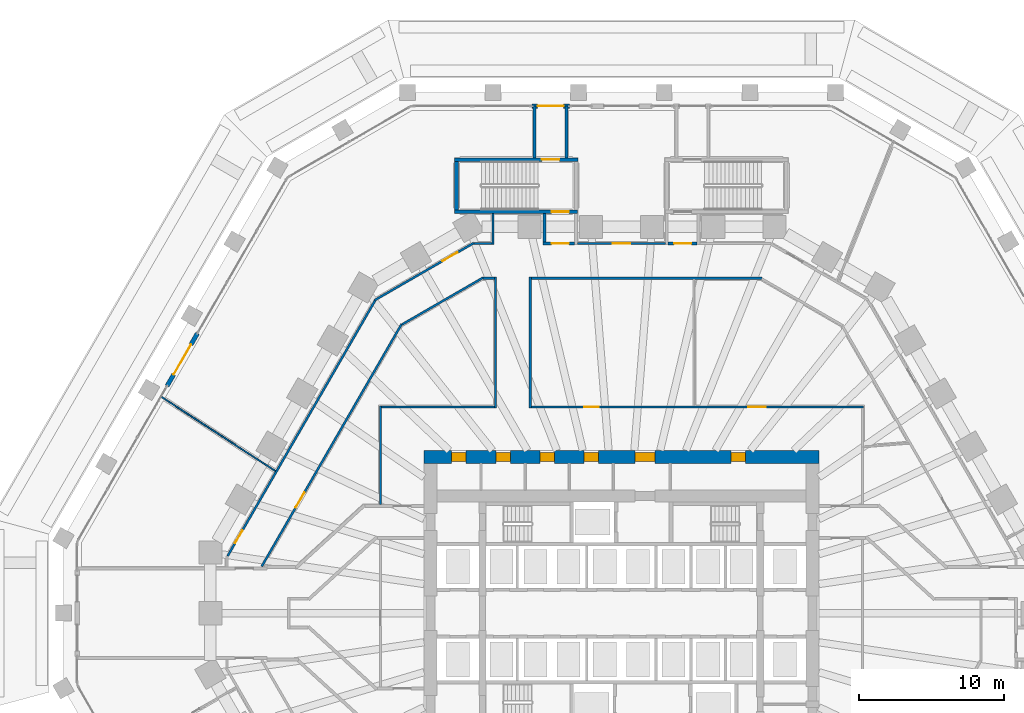
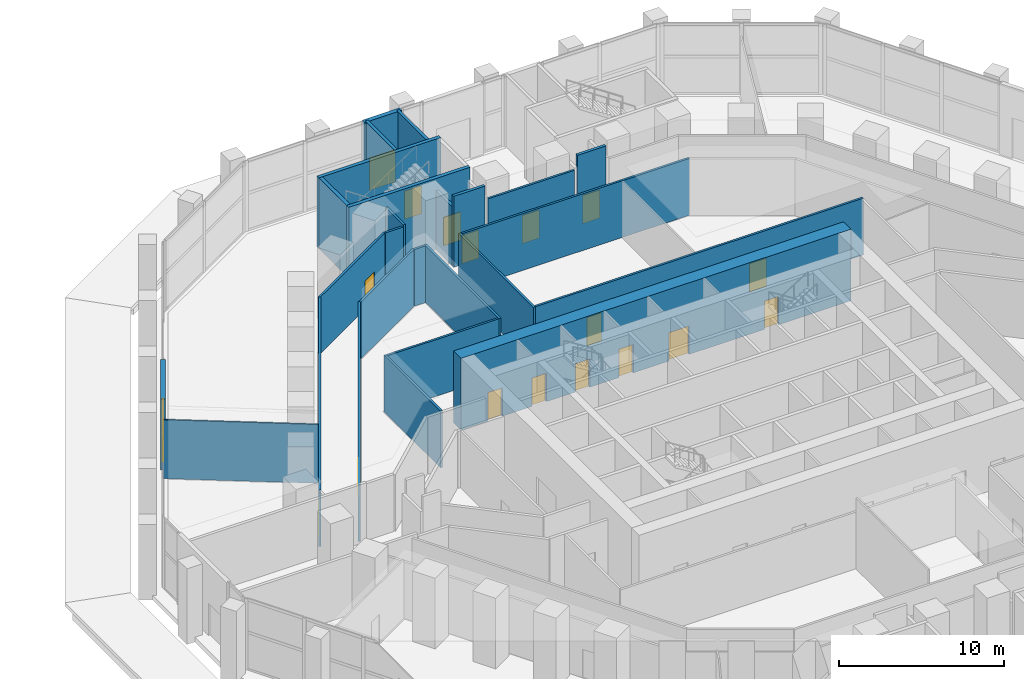
# One storey, part 24 of 44: 26 walls, 18 doors, 18 openings.
"""IFC4 building model written with IfcOpenShell, lengths in metres."""

import ifcopenshell
import ifcopenshell.guid

model = None  # the IFC model being written
_history = None  # IfcOwnerHistory: only IFC2X3 demands one
_inside = {}  # id of a spatial element -> (the spatial element, [elements in it])
_under = {}  # id of a project, library or spatial element -> (it, [spatial elements below it])
_declared = {}  # id of a project -> (the project, [libraries it declares])
_typed = {}  # id of a type object -> (the type object, [elements of that type])
_made_of = {}  # id of a material, layer set ... -> (it, [elements and type objects made of it])


def new_model(schema):
    """Start an empty IFC model of exactly this schema.

    Asked for "IFC4X3", IfcOpenShell would pick the latest addendum, in which some entities
    have other attributes; the version numbers below select the first issue.
    IFC2X3 requires an IfcOwnerHistory on every rooted entity: one is made here for all.
    """
    global model, _history
    if schema == "IFC4X3":
        model = ifcopenshell.file(schema_version=(4, 3, 0, 0))
    else:
        model = ifcopenshell.file(schema=schema)
    _inside.clear()
    _under.clear()
    _declared.clear()
    _typed.clear()
    _made_of.clear()
    _history = None
    if model.schema == "IFC2X3":
        org = make("IfcOrganization", Name="unknown")
        user = make(
            "IfcPersonAndOrganization",
            ThePerson=make("IfcPerson", FamilyName="unknown"),
            TheOrganization=org,
        )
        app = make(
            "IfcApplication",
            ApplicationDeveloper=org,
            Version="unknown",
            ApplicationFullName="unknown",
            ApplicationIdentifier="unknown",
        )
        _history = make(
            "IfcOwnerHistory",
            OwningUser=user,
            OwningApplication=app,
            ChangeAction="ADDED",
            CreationDate=0,
        )
    return model


def make(cls, **values):
    """One entity of the class cls with the attributes given. An attribute that is None is left unset."""
    return model.create_entity(
        cls, **{name: value for name, value in values.items() if value is not None}
    )


def rooted(cls, **values):
    """An entity with a GlobalId (a new one), such as an element, a storey or a relation."""
    return make(cls, GlobalId=ifcopenshell.guid.new(), OwnerHistory=_history, **values)


def si_unit(unit_type, name, prefix=None):
    """IfcSIUnit, for example si_unit("LENGTHUNIT", "METRE", prefix="MILLI")."""
    return make("IfcSIUnit", UnitType=unit_type, Prefix=prefix, Name=name)


def assignment(units):
    """IfcUnitAssignment: the units of a project."""
    return None if units is None else make("IfcUnitAssignment", Units=units)


def point(xyz):
    """IfcCartesianPoint."""
    return None if xyz is None else make("IfcCartesianPoint", Coordinates=xyz)


def direction(xyz):
    """IfcDirection."""
    return None if xyz is None else make("IfcDirection", DirectionRatios=xyz)


def frame(location, z_axis=None, x_axis=None):
    """IfcAxis2Placement3D, a coordinate frame: its origin and axes. An axis left out is left unset."""
    return make(
        "IfcAxis2Placement3D",
        Location=point(location),
        Axis=direction(z_axis),
        RefDirection=direction(x_axis),
    )


def frame_2d(location, x_axis=None):
    """IfcAxis2Placement2D, a coordinate frame in the plane: its origin and x axis."""
    return make(
        "IfcAxis2Placement2D", Location=point(location), RefDirection=direction(x_axis)
    )


def origin():
    """The frame at (0, 0, 0) with its axes left unset."""
    return frame((0.0, 0.0, 0.0))


def place(relative_to, where):
    """IfcLocalPlacement: puts the frame where relative to a parent placement (None: the world)."""
    return make(
        "IfcLocalPlacement", PlacementRelTo=relative_to, RelativePlacement=where
    )


def context(
    kind, dimensions, precision=None, world=None, true_north=None, identifier=None
):
    """IfcGeometricRepresentationContext, for example the 3D "Model" context."""
    return make(
        "IfcGeometricRepresentationContext",
        ContextIdentifier=identifier,
        ContextType=kind,
        CoordinateSpaceDimension=dimensions,
        Precision=precision,
        WorldCoordinateSystem=world,
        TrueNorth=true_north,
    )


def subcontext(parent, identifier, kind, view, scale=None):
    """IfcGeometricRepresentationSubContext, for example "Body" below "Model"."""
    return make(
        "IfcGeometricRepresentationSubContext",
        ContextIdentifier=identifier,
        ContextType=kind,
        ParentContext=parent,
        TargetScale=scale,
        TargetView=view,
    )


def project(units=None, contexts=None):
    """IfcProject with its units and contexts."""
    return rooted(
        "IfcProject",
        Name="project",
        RepresentationContexts=contexts,
        UnitsInContext=assignment(units),
    )


def spatial(cls, under=None, at=None, **own):
    """A site, building, storey or space (cls), placed at a placement, below another one or the project."""
    s = rooted(cls, ObjectPlacement=at, **own)
    if under is not None:
        _under.setdefault(under.id(), (under, []))[1].append(s)
    return s


def profile(cls, at=None, kind="AREA", **sizes):
    """A parametric profile (cls). Its sizes go by their IFC names, for example OverallWidth=200.0."""
    return make(cls, ProfileType=kind, Position=at, **sizes)


def rectangle(**sizes):
    """IfcRectangleProfileDef."""
    return profile("IfcRectangleProfileDef", **sizes)


def extrude(swept, where, along, depth):
    """IfcExtrudedAreaSolid: the profile swept, set in the frame where, extruded along a direction by depth."""
    return make(
        "IfcExtrudedAreaSolid",
        SweptArea=swept,
        Position=where,
        ExtrudedDirection=direction(along),
        Depth=depth,
    )


def shape(context_of_items, identifier, shape_type, items):
    """IfcShapeRepresentation: the items that make up one representation, for example the "Body"."""
    return make(
        "IfcShapeRepresentation",
        ContextOfItems=context_of_items,
        RepresentationIdentifier=identifier,
        RepresentationType=shape_type,
        Items=items,
    )


def material(Name=None, Category=None):
    """IfcMaterial."""
    return make("IfcMaterial", Name=Name, Category=Category)


def layer(
    of_material, thickness, ventilated=None, Name=None, Category=None, Priority=None
):
    """IfcMaterialLayer: one layer of a wall or slab, of a material (None: an air gap)."""
    return make(
        "IfcMaterialLayer",
        Material=of_material,
        LayerThickness=thickness,
        IsVentilated=ventilated,
        Name=Name,
        Category=Category,
        Priority=Priority,
    )


def layer_set(layers, Name=None):
    """IfcMaterialLayerSet."""
    return make("IfcMaterialLayerSet", MaterialLayers=layers, LayerSetName=Name)


def made_of(thing, what):
    """Note that an element or type object is made of a material, layer set ...; save() writes the relation."""
    if what is not None:
        _made_of.setdefault(what.id(), (what, []))[1].append(thing)
    return thing


def type_object(cls, material=None, **own):
    """A type object (cls), such as IfcWallType, which elements share."""
    return made_of(rooted(cls, **own), material)


def element(
    cls,
    number,
    at=None,
    inside=None,
    cuts=None,
    type_object=None,
    material=None,
    context=None,
    identifier="Body",
    shape_type=None,
    held_by="IfcProductDefinitionShape",
    body=None,
    shapes=None,
    **own,
):
    """One element of the class cls, such as IfcWall. Its Tag is "e" and its number.

    at: its placement. inside: the storey or other place that contains it. cuts: it is an
    opening in that element (IfcRelVoidsElement). A single representation is given by context,
    identifier, shape_type and body (its items); several are given by shapes. held_by: the class
    of the entity that holds the representations. save() writes the other relations.
    """
    e = rooted(cls, Tag="e%d" % number, ObjectPlacement=at, **own)
    if body is not None:
        shapes = [shape(context, identifier, shape_type, body)]
    if shapes is not None:
        e.Representation = make(held_by, Representations=shapes)
    if inside is not None:
        _inside.setdefault(inside.id(), (inside, []))[1].append(e)
    if cuts is not None:
        rooted(
            "IfcRelVoidsElement", RelatingBuildingElement=cuts, RelatedOpeningElement=e
        )
    if type_object is not None:
        _typed.setdefault(type_object.id(), (type_object, []))[1].append(e)
    return made_of(e, material)


def fill(opening, filler):
    """IfcRelFillsElement: the door or window that sits in an opening."""
    return rooted(
        "IfcRelFillsElement",
        RelatingOpeningElement=opening,
        RelatedBuildingElement=filler,
    )


def aggregate(whole, parts):
    """IfcRelAggregates: a whole, such as a stair, and the parts it consists of."""
    return rooted("IfcRelAggregates", RelatingObject=whole, RelatedObjects=parts)


def save(model, path):
    """Write the relations noted so far, then the file.

    IfcRelAggregates (storeys below a building ...), IfcRelContainedInSpatialStructure (elements
    in a storey), IfcRelDefinesByType, IfcRelAssociatesMaterial and IfcRelDeclares: one each for
    every whole, place, type object, material and project.
    """
    for whole, parts in _under.values():
        aggregate(whole, parts)
    for where, things in _inside.values():
        rooted(
            "IfcRelContainedInSpatialStructure",
            RelatedElements=things,
            RelatingStructure=where,
        )
    for kind, things in _typed.values():
        rooted("IfcRelDefinesByType", RelatedObjects=things, RelatingType=kind)
    for what, things in _made_of.values():
        rooted("IfcRelAssociatesMaterial", RelatedObjects=things, RelatingMaterial=what)
    for by, libraries in _declared.values():
        rooted("IfcRelDeclares", RelatingContext=by, RelatedDefinitions=libraries)
    model.write(path)


model = new_model("IFC4")

# Units and contexts
model_context = context("Model", 3, precision=1e-05, world=origin(), true_north=direction((0.0, 1.0)))
body_context = subcontext(model_context, "Body", "Model", "MODEL_VIEW")
ifc_project = project(units=[si_unit("LENGTHUNIT", "METRE"), si_unit("AREAUNIT", "SQUARE_METRE"), si_unit("VOLUMEUNIT", "CUBIC_METRE"), si_unit("PLANEANGLEUNIT", "RADIAN"), si_unit("MASSUNIT", "GRAM", prefix="KILO")], contexts=[model_context])

# Site, building, storey
site_placement = place(None, origin())
site = spatial("IfcSite", under=ifc_project, at=site_placement, CompositionType="ELEMENT")
building_placement = place(site_placement, origin())
building = spatial("IfcBuilding", under=site, at=building_placement, Name="Frailejon Research Tower", CompositionType="ELEMENT")
storey_placement = place(building_placement, origin())
storey = spatial("IfcBuildingStorey", under=building, at=storey_placement, Name="L00", CompositionType="ELEMENT", Elevation=0.0)

# Wall, openings, doors
ifc_material_1 = material(Name="Concrete C70/85", Category="concrete")
ifc_layer_1 = layer(ifc_material_1, 0.89990234375)
ifc_layer_set_1 = layer_set([ifc_layer_1], Name="Core shear wall 900 C70/85")
wall_type_1 = type_object("IfcWallType", Name="Core shear wall 900 C70/85", PredefinedType="SHEAR", material=ifc_layer_set_1)
wall_1_placement = place(storey_placement, frame((-13.64990234375, 10.800048828125, 0.0), z_axis=(0.0, 0.0, 1.0), x_axis=(1.0, 0.0, 0.0)))
wall_1 = element("IfcWall", 1, at=wall_1_placement, inside=storey, type_object=wall_type_1, Name="Core shear wall", PredefinedType="SHEAR", context=body_context, shape_type="SweptSolid", body=[
    extrude(rectangle(XDim=27.2998046875, YDim=0.89990234375, at=frame_2d((13.64990234375, 0.0))), origin(), (0.0, 0.0, 1.0), 5.300048828125),
])
opening_1_placement = place(wall_1_placement, frame((1.89208984375, 0.0, 0.0)))
opening_1 = element("IfcOpeningElement", 2, at=opening_1_placement, cuts=wall_1, Name="Opening D4", PredefinedType="OPENING", context=body_context, shape_type="SweptSolid", body=[
    extrude(rectangle(XDim=1.0, YDim=2.10009765625, at=frame_2d((0.5, 1.050048828125))), frame((0.0, 0.4599609375, 0.0), z_axis=(0.0, -1.0, 0.0), x_axis=(1.0, 0.0, 0.0)), (0.0, 0.0, 1.0), 0.919921875),
])
opening_2_placement = place(wall_1_placement, frame((4.97021484375, 0.0, 0.0)))
opening_2 = element("IfcOpeningElement", 3, at=opening_2_placement, cuts=wall_1, Name="Opening D4", PredefinedType="OPENING", context=body_context, shape_type="SweptSolid", body=[
    extrude(rectangle(XDim=1.0, YDim=2.10009765625, at=frame_2d((0.5, 1.050048828125))), frame((0.0, 0.4599609375, 0.0), z_axis=(0.0, -1.0, 0.0), x_axis=(1.0, 0.0, 0.0)), (0.0, 0.0, 1.0), 0.919921875),
])
opening_3_placement = place(wall_1_placement, frame((8.01708984375, 0.0, 0.0)))
opening_3 = element("IfcOpeningElement", 4, at=opening_3_placement, cuts=wall_1, Name="Opening D4", PredefinedType="OPENING", context=body_context, shape_type="SweptSolid", body=[
    extrude(rectangle(XDim=1.0, YDim=2.10009765625, at=frame_2d((0.5, 1.050048828125))), frame((0.0, 0.4599609375, 0.0), z_axis=(0.0, -1.0, 0.0), x_axis=(1.0, 0.0, 0.0)), (0.0, 0.0, 1.0), 0.919921875),
])
opening_4_placement = place(wall_1_placement, frame((11.064208984375, 0.0, 0.0)))
opening_4 = element("IfcOpeningElement", 5, at=opening_4_placement, cuts=wall_1, Name="Opening D4", PredefinedType="OPENING", context=body_context, shape_type="SweptSolid", body=[
    extrude(rectangle(XDim=1.0, YDim=2.10009765625, at=frame_2d((0.5, 1.050048828125))), frame((0.0, 0.4599609375, 0.0), z_axis=(0.0, -1.0, 0.0), x_axis=(1.0, 0.0, 0.0)), (0.0, 0.0, 1.0), 0.919921875),
])
opening_5_placement = place(wall_1_placement, frame((21.237548828125, 0.0, 0.0)))
opening_5 = element("IfcOpeningElement", 6, at=opening_5_placement, cuts=wall_1, Name="Opening D4", PredefinedType="OPENING", context=body_context, shape_type="SweptSolid", body=[
    extrude(rectangle(XDim=1.0, YDim=2.10009765625, at=frame_2d((0.5, 1.050048828125))), frame((0.0, 0.4599609375, 0.0), z_axis=(0.0, -1.0, 0.0), x_axis=(1.0, 0.0, 0.0)), (0.0, 0.0, 1.0), 0.919921875),
])
opening_6_placement = place(wall_1_placement, frame((14.574951171875, 0.0, 0.0)))
opening_6 = element("IfcOpeningElement", 7, at=opening_6_placement, cuts=wall_1, Name="Opening D9", PredefinedType="OPENING", context=body_context, shape_type="SweptSolid", body=[
    extrude(rectangle(XDim=1.39990234375, YDim=2.10009765625, at=frame_2d((0.699951171875, 1.050048828125))), frame((0.0, 0.4599609375, 0.0), z_axis=(0.0, -1.0, 0.0), x_axis=(1.0, 0.0, 0.0)), (0.0, 0.0, 1.0), 0.919921875),
])
ifc_material_2 = material(Name="Steel", Category="steel")
door_type_1 = type_object("IfcDoorType", Name="Goods lobby door", OperationType="DOUBLE_DOOR_SINGLE_SWING", PredefinedType="DOOR", material=ifc_material_2)
door_1_placement = place(opening_6_placement, origin())
door_1 = element("IfcDoor", 8, at=door_1_placement, inside=storey, type_object=door_type_1, Name="Passage door", OperationType="DOUBLE_DOOR_SINGLE_SWING", OverallHeight=2.10009765625, OverallWidth=1.39990234375, PredefinedType="DOOR", context=body_context, shape_type="SweptSolid", body=[
    extrude(rectangle(XDim=1.39990234375, YDim=2.10009765625, at=frame_2d((0.699951171875, 1.050048828125))), frame((0.0, 0.300048828125, 0.0), z_axis=(0.0, -1.0, 0.0), x_axis=(1.0, 0.0, 0.0)), (0.0, 0.0, 1.0), 0.60009765625),
])
fill(opening_6, door_1)
ifc_material_3 = material(Name="Steel", Category="steel")
door_type_2 = type_object("IfcDoorType", Name="Service door", OperationType="SINGLE_SWING_LEFT", PredefinedType="DOOR", material=ifc_material_3)
door_2_placement = place(opening_1_placement, origin())
door_2 = element("IfcDoor", 9, at=door_2_placement, inside=storey, type_object=door_type_2, Name="Room door", OperationType="SINGLE_SWING_RIGHT", OverallHeight=2.10009765625, OverallWidth=1.0, PredefinedType="DOOR", context=body_context, shape_type="SweptSolid", body=[
    extrude(rectangle(XDim=1.0, YDim=2.10009765625, at=frame_2d((0.5, 1.050048828125))), frame((0.0, 0.300048828125, 0.0), z_axis=(0.0, -1.0, 0.0), x_axis=(1.0, 0.0, 0.0)), (0.0, 0.0, 1.0), 0.60009765625),
])
fill(opening_1, door_2)
door_3_placement = place(opening_2_placement, origin())
door_3 = element("IfcDoor", 10, at=door_3_placement, inside=storey, type_object=door_type_2, Name="Room door", OperationType="SINGLE_SWING_LEFT", OverallHeight=2.10009765625, OverallWidth=1.0, PredefinedType="DOOR", context=body_context, shape_type="SweptSolid", body=[
    extrude(rectangle(XDim=1.0, YDim=2.10009765625, at=frame_2d((0.5, 1.050048828125))), frame((0.0, 0.300048828125, 0.0), z_axis=(0.0, -1.0, 0.0), x_axis=(1.0, 0.0, 0.0)), (0.0, 0.0, 1.0), 0.60009765625),
])
fill(opening_2, door_3)
door_4_placement = place(opening_3_placement, origin())
door_4 = element("IfcDoor", 11, at=door_4_placement, inside=storey, type_object=door_type_2, Name="Room door", OperationType="SINGLE_SWING_RIGHT", OverallHeight=2.10009765625, OverallWidth=1.0, PredefinedType="DOOR", context=body_context, shape_type="SweptSolid", body=[
    extrude(rectangle(XDim=1.0, YDim=2.10009765625, at=frame_2d((0.5, 1.050048828125))), frame((0.0, 0.300048828125, 0.0), z_axis=(0.0, -1.0, 0.0), x_axis=(1.0, 0.0, 0.0)), (0.0, 0.0, 1.0), 0.60009765625),
])
fill(opening_3, door_4)
door_5_placement = place(opening_4_placement, origin())
door_5 = element("IfcDoor", 12, at=door_5_placement, inside=storey, type_object=door_type_2, Name="Room door", OperationType="SINGLE_SWING_LEFT", OverallHeight=2.10009765625, OverallWidth=1.0, PredefinedType="DOOR", context=body_context, shape_type="SweptSolid", body=[
    extrude(rectangle(XDim=1.0, YDim=2.10009765625, at=frame_2d((0.5, 1.050048828125))), frame((0.0, 0.300048828125, 0.0), z_axis=(0.0, -1.0, 0.0), x_axis=(1.0, 0.0, 0.0)), (0.0, 0.0, 1.0), 0.60009765625),
])
fill(opening_4, door_5)
door_6_placement = place(opening_5_placement, origin())
door_6 = element("IfcDoor", 13, at=door_6_placement, inside=storey, type_object=door_type_2, Name="Room door", OperationType="SINGLE_SWING_RIGHT", OverallHeight=2.10009765625, OverallWidth=1.0, PredefinedType="DOOR", context=body_context, shape_type="SweptSolid", body=[
    extrude(rectangle(XDim=1.0, YDim=2.10009765625, at=frame_2d((0.5, 1.050048828125))), frame((0.0, 0.300048828125, 0.0), z_axis=(0.0, -1.0, 0.0), x_axis=(1.0, 0.0, 0.0)), (0.0, 0.0, 1.0), 0.60009765625),
])
fill(opening_5, door_6)

# Wall
ifc_material_4 = material(Name="Gypsum board and masonry partition", Category="masonry")
ifc_layer_2 = layer(ifc_material_4, 0.14990234375)
ifc_layer_set_2 = layer_set([ifc_layer_2], Name="Corridor wall EI 60, gypsum on steel studs 150")
wall_type_2 = type_object("IfcWallType", Name="Corridor wall EI 60, gypsum on steel studs 150", PredefinedType="PARTITIONING", material=ifc_layer_set_2)
wall_2_placement = place(storey_placement, frame((-16.574951171875, 14.25, 0.0), z_axis=(0.0, 0.0, 1.0), x_axis=(1.0, 0.0, 0.0)))
element("IfcWall", 14, at=wall_2_placement, inside=storey, type_object=wall_type_2, Name="T:IW:L00:003", PredefinedType="PARTITIONING", context=body_context, shape_type="SweptSolid", body=[
    extrude(rectangle(XDim=7.800048828125, YDim=0.14990234375, at=frame_2d((3.89990234375, 0.0))), origin(), (0.0, 0.0, 1.0), 4.199951171875),
])

# Wall, openings, doors
wall_3_placement = place(storey_placement, frame((-6.22509765625, 14.25, 0.0), z_axis=(0.0, 0.0, 1.0), x_axis=(1.0, 0.0, 0.0)))
wall_3 = element("IfcWall", 15, at=wall_3_placement, inside=storey, type_object=wall_type_2, Name="T:IW:L00:004", PredefinedType="PARTITIONING", context=body_context, shape_type="SweptSolid", body=[
    extrude(rectangle(XDim=22.9501953125, YDim=0.14990234375, at=frame_2d((11.47509765625, 0.0))), origin(), (0.0, 0.0, 1.0), 4.199951171875),
])
opening_7_placement = place(wall_3_placement, frame((14.99462890625, 0.0, 0.0)))
opening_7 = element("IfcOpeningElement", 16, at=opening_7_placement, cuts=wall_3, Name="Opening D1004", PredefinedType="OPENING", context=body_context, shape_type="SweptSolid", body=[
    extrude(rectangle(XDim=1.199951171875, YDim=2.10009765625, at=frame_2d((0.60009765625, 1.050048828125))), frame((0.0, 0.0849609375, 0.0), z_axis=(0.0, -1.0, 0.0), x_axis=(1.0, 0.0, 0.0)), (0.0, 0.0, 1.0), 0.169921875),
])
opening_8_placement = place(wall_3_placement, frame((3.638916015625, 0.0, 0.0)))
opening_8 = element("IfcOpeningElement", 17, at=opening_8_placement, cuts=wall_3, Name="Opening D1006", PredefinedType="OPENING", context=body_context, shape_type="SweptSolid", body=[
    extrude(rectangle(XDim=1.0, YDim=2.10009765625, at=frame_2d((0.5, 1.050048828125))), frame((0.0, 0.0849609375, 0.0), z_axis=(0.0, -1.0, 0.0), x_axis=(1.0, 0.0, 0.0)), (0.0, 0.0, 1.0), 0.169921875),
])
ifc_material_5 = material(Name="Timber door leaf", Category="wood")
door_type_3 = type_object("IfcDoorType", Name="Door single leaf, timber, steel frame 1000", OperationType="NOTDEFINED", PredefinedType="DOOR", material=ifc_material_5)
door_7_placement = place(opening_8_placement, origin())
door_7 = element("IfcDoor", 18, at=door_7_placement, inside=storey, type_object=door_type_3, Name="D1006", OperationType="SINGLE_SWING_RIGHT", OverallHeight=2.10009765625, OverallWidth=1.0, PredefinedType="DOOR", context=body_context, shape_type="SweptSolid", body=[
    extrude(rectangle(XDim=1.0, YDim=2.10009765625, at=frame_2d((0.5, 1.050048828125))), frame((0.0, 0.02490234375, 0.0), z_axis=(0.0, -1.0, 0.0), x_axis=(1.0, 0.0, 0.0)), (0.0, 0.0, 1.0), 0.050048828125),
])
fill(opening_8, door_7)
ifc_material_6 = material(Name="Timber door leaf", Category="wood")
door_type_4 = type_object("IfcDoorType", Name="Door single leaf, timber, steel frame 1200", OperationType="NOTDEFINED", PredefinedType="DOOR", material=ifc_material_6)
door_8_placement = place(opening_7_placement, origin())
door_8 = element("IfcDoor", 19, at=door_8_placement, inside=storey, type_object=door_type_4, Name="D1004", OperationType="DOUBLE_DOOR_SINGLE_SWING", OverallHeight=2.10009765625, OverallWidth=1.199951171875, PredefinedType="DOOR", context=body_context, shape_type="SweptSolid", body=[
    extrude(rectangle(XDim=1.199951171875, YDim=2.10009765625, at=frame_2d((0.60009765625, 1.050048828125))), frame((0.0, 0.02490234375, 0.0), z_axis=(0.0, -1.0, 0.0), x_axis=(1.0, 0.0, 0.0)), (0.0, 0.0, 1.0), 0.050048828125),
])
fill(opening_7, door_8)

# Walls
wall_4_placement = place(storey_placement, frame((-16.64990234375, 7.5, 0.0), z_axis=(0.0, 0.0, 1.0), x_axis=(0.0, 1.0, 0.0)))
element("IfcWall", 20, at=wall_4_placement, inside=storey, type_object=wall_type_2, Name="T:IW:L00:007", PredefinedType="PARTITIONING", context=body_context, shape_type="SweptSolid", body=[
    extrude(rectangle(XDim=6.824951171875, YDim=0.14990234375, at=frame_2d((3.41259765625, 0.0))), origin(), (0.0, 0.0, 1.0), 4.199951171875),
])
wall_5_placement = place(storey_placement, frame((-9.5537109375, 23.14990234375, 0.0), z_axis=(0.0, 0.0, 1.0), x_axis=(1.0, 0.0, 0.0)))
element("IfcWall", 21, at=wall_5_placement, inside=storey, type_object=wall_type_2, Name="T:IW:L00:014", PredefinedType="PARTITIONING", context=body_context, shape_type="SweptSolid", body=[
    extrude(rectangle(XDim=0.77880859375, YDim=0.14990234375, at=frame_2d((0.389404296875, 0.0))), origin(), (0.0, 0.0, 1.0), 4.199951171875),
])
wall_6_placement = place(storey_placement, frame((-6.22509765625, 23.14990234375, 0.0), z_axis=(0.0, 0.0, 1.0), x_axis=(1.0, 0.0, 0.0)))
element("IfcWall", 22, at=wall_6_placement, inside=storey, type_object=wall_type_2, Name="T:IW:L00:015", PredefinedType="PARTITIONING", context=body_context, shape_type="SweptSolid", body=[
    extrude(rectangle(XDim=15.9287109375, YDim=0.14990234375, at=frame_2d((7.96435546875, 0.0))), origin(), (0.0, 0.0, 1.0), 4.199951171875),
])
wall_7_placement = place(storey_placement, frame((-10.19677734375, 25.550048828125, 0.0), z_axis=(0.0, 0.0, 1.0), x_axis=(1.0, 0.0, 0.0)))
element("IfcWall", 23, at=wall_7_placement, inside=storey, type_object=wall_type_2, Name="T:IW:L00:016", PredefinedType="PARTITIONING", context=body_context, shape_type="SweptSolid", body=[
    extrude(rectangle(XDim=1.2509765625, YDim=0.14990234375, at=frame_2d((0.62548828125, 0.0))), origin(), (0.0, 0.0, 1.0), 4.199951171875),
])

# Wall, opening, door
wall_8_placement = place(storey_placement, frame((-3.031982421875, 25.550048828125, 0.0), z_axis=(0.0, 0.0, 1.0), x_axis=(1.0, 0.0, 0.0)))
wall_8 = element("IfcWall", 24, at=wall_8_placement, inside=storey, type_object=wall_type_2, Name="T:IW:L00:017", PredefinedType="PARTITIONING", context=body_context, shape_type="SweptSolid", body=[
    extrude(rectangle(XDim=6.06396484375, YDim=0.14990234375, at=frame_2d((3.031982421875, 0.0))), origin(), (0.0, 0.0, 1.0), 4.199951171875),
])
opening_9_placement = place(wall_8_placement, frame((2.431884765625, 0.0, 0.0)))
opening_9 = element("IfcOpeningElement", 25, at=opening_9_placement, cuts=wall_8, Name="Opening D2431", PredefinedType="OPENING", context=body_context, shape_type="SweptSolid", body=[
    extrude(rectangle(XDim=1.199951171875, YDim=2.10009765625, at=frame_2d((0.60009765625, 1.050048828125))), frame((0.0, 0.0849609375, 0.0), z_axis=(0.0, -1.0, 0.0), x_axis=(1.0, 0.0, 0.0)), (0.0, 0.0, 1.0), 0.169921875),
])
door_9_placement = place(opening_9_placement, origin())
door_9 = element("IfcDoor", 26, at=door_9_placement, inside=storey, type_object=door_type_4, Name="D2431", OperationType="DOUBLE_DOOR_SINGLE_SWING", OverallHeight=2.10009765625, OverallWidth=1.199951171875, PredefinedType="DOOR", context=body_context, shape_type="SweptSolid", body=[
    extrude(rectangle(XDim=1.199951171875, YDim=2.10009765625, at=frame_2d((0.60009765625, 1.050048828125))), frame((0.0, 0.02490234375, 0.0), z_axis=(0.0, -1.0, 0.0), x_axis=(1.0, 0.0, 0.0)), (0.0, 0.0, 1.0), 0.050048828125),
])
fill(opening_9, door_9)

wall_9_placement = place(storey_placement, frame((-27.225341796875, 3.9443359375, 0.0), z_axis=(0.0, 0.0, 1.0), x_axis=(0.499999139641, 0.866025900512, 0.0)))
wall_9 = element("IfcWall", 27, at=wall_9_placement, inside=storey, type_object=wall_type_2, Name="T:IW:L00:019", PredefinedType="PARTITIONING", context=body_context, shape_type="SweptSolid", body=[
    extrude(rectangle(XDim=20.3935546875, YDim=0.14990234375, at=frame_2d((10.19677734375, 0.0))), origin(), (0.0, 0.0, 1.0), 4.199951171875),
])
opening_10_placement = place(wall_9_placement, frame((1.042236328125, 0.0, 0.0)))
opening_10 = element("IfcOpeningElement", 28, at=opening_10_placement, cuts=wall_9, Name="Opening D1009", PredefinedType="OPENING", context=body_context, shape_type="SweptSolid", body=[
    extrude(rectangle(XDim=1.0, YDim=2.10009765625, at=frame_2d((0.5, 1.050048828125))), frame((0.0, 0.0849609375, 0.0), z_axis=(0.0, -1.0, 0.0), x_axis=(1.0, 0.0, 0.0)), (0.0, 0.0, 1.0), 0.169921875),
])
door_10_placement = place(opening_10_placement, origin())
door_10 = element("IfcDoor", 29, at=door_10_placement, inside=storey, type_object=door_type_3, Name="D1009", OperationType="SINGLE_SWING_RIGHT", OverallHeight=2.10009765625, OverallWidth=1.0, PredefinedType="DOOR", context=body_context, shape_type="SweptSolid", body=[
    extrude(rectangle(XDim=1.0, YDim=2.10009765625, at=frame_2d((0.5, 1.050048828125))), frame((0.0, 0.02490234375, 0.0), z_axis=(0.0, -1.0, 0.0), x_axis=(1.0, 0.0, 0.0)), (0.0, 0.0, 1.0), 0.050048828125),
])
fill(opening_10, door_10)

wall_10_placement = place(storey_placement, frame((-17.055908203125, 21.633056640625, 0.0), z_axis=(0.0, 0.0, 1.0), x_axis=(0.866025195951, 0.500000359978, 0.0)))
wall_10 = element("IfcWall", 30, at=wall_10_placement, inside=storey, type_object=wall_type_2, Name="T:IW:L00:020", PredefinedType="PARTITIONING", context=body_context, shape_type="SweptSolid", body=[
    extrude(rectangle(XDim=7.90869140625, YDim=0.14990234375, at=frame_2d((3.954345703125, 0.0))), origin(), (0.0, 0.0, 1.0), 4.199951171875),
])
opening_11_placement = place(wall_10_placement, frame((5.405029296875, 0.0, 0.0)))
opening_11 = element("IfcOpeningElement", 31, at=opening_11_placement, cuts=wall_10, Name="Opening D1007", PredefinedType="OPENING", context=body_context, shape_type="SweptSolid", body=[
    extrude(rectangle(XDim=1.199951171875, YDim=2.10009765625, at=frame_2d((0.60009765625, 1.050048828125))), frame((0.0, 0.0849609375, 0.0), z_axis=(0.0, -1.0, 0.0), x_axis=(1.0, 0.0, 0.0)), (0.0, 0.0, 1.0), 0.169921875),
])
door_11_placement = place(opening_11_placement, origin())
door_11 = element("IfcDoor", 32, at=door_11_placement, inside=storey, type_object=door_type_4, Name="D1007", OperationType="DOUBLE_DOOR_SINGLE_SWING", OverallHeight=2.10009765625, OverallWidth=1.199951171875, PredefinedType="DOOR", context=body_context, shape_type="SweptSolid", body=[
    extrude(rectangle(XDim=1.199951171875, YDim=2.10009765625, at=frame_2d((0.60009765625, 1.050048828125))), frame((0.0, 0.02490234375, 0.0), z_axis=(0.0, -1.0, 0.0), x_axis=(1.0, 0.0, 0.0)), (0.0, 0.0, 1.0), 0.050048828125),
])
fill(opening_11, door_11)

# Walls
wall_11_placement = place(storey_placement, frame((-8.870849609375, 25.47509765625, 0.0), z_axis=(0.0, 0.0, 1.0), x_axis=(0.0, 1.0, 0.0)))
element("IfcWall", 33, at=wall_11_placement, inside=storey, type_object=wall_type_2, Name="T:IW:L00:021", PredefinedType="PARTITIONING", context=body_context, shape_type="SweptSolid", body=[
    extrude(rectangle(XDim=2.14990234375, YDim=0.14990234375, at=frame_2d((1.074951171875, 0.0))), origin(), (0.0, 0.0, 1.0), 4.35009765625),
])
wall_12_placement = place(storey_placement, frame((-15.169189453125, 19.951171875, 0.0), z_axis=(0.0, 0.0, 1.0), x_axis=(0.866024786089, 0.500001069878, 0.0)))
element("IfcWall", 34, at=wall_12_placement, inside=storey, type_object=wall_type_2, Name="T:IW:L00:022", PredefinedType="PARTITIONING", context=body_context, shape_type="SweptSolid", body=[
    extrude(rectangle(XDim=6.47265625, YDim=0.14990234375, at=frame_2d((3.236328125, 0.0))), origin(), (0.0, 0.0, 1.0), 4.199951171875),
])

# Wall, opening, door
wall_13_placement = place(storey_placement, frame((-24.86279296875, 3.236328125, 0.0), z_axis=(0.0, 0.0, 1.0), x_axis=(0.499996476014, 0.866027438349, 0.0)))
wall_13 = element("IfcWall", 35, at=wall_13_placement, inside=storey, type_object=wall_type_2, Name="T:IW:L00:023", PredefinedType="PARTITIONING", context=body_context, shape_type="SweptSolid", body=[
    extrude(rectangle(XDim=19.332275390625, YDim=0.14990234375, at=frame_2d((9.666015625, 0.0))), origin(), (0.0, 0.0, 1.0), 4.199951171875),
])
opening_12_placement = place(wall_13_placement, frame((4.689208984375, 0.0, 0.0)))
opening_12 = element("IfcOpeningElement", 36, at=opening_12_placement, cuts=wall_13, Name="Opening D1008", PredefinedType="OPENING", context=body_context, shape_type="SweptSolid", body=[
    extrude(rectangle(XDim=1.199951171875, YDim=2.10009765625, at=frame_2d((0.60009765625, 1.050048828125))), frame((0.0, 0.0849609375, 0.0), z_axis=(0.0, -1.0, 0.0), x_axis=(1.0, 0.0, 0.0)), (0.0, 0.0, 1.0), 0.169921875),
])
door_12_placement = place(opening_12_placement, origin())
door_12 = element("IfcDoor", 37, at=door_12_placement, inside=storey, type_object=door_type_4, Name="D1008", OperationType="DOUBLE_DOOR_SINGLE_SWING", OverallHeight=2.10009765625, OverallWidth=1.199951171875, PredefinedType="DOOR", context=body_context, shape_type="SweptSolid", body=[
    extrude(rectangle(XDim=1.199951171875, YDim=2.10009765625, at=frame_2d((0.60009765625, 1.050048828125))), frame((0.0, 0.02490234375, 0.0), z_axis=(0.0, -1.0, 0.0), x_axis=(1.0, 0.0, 0.0)), (0.0, 0.0, 1.0), 0.050048828125),
])
fill(opening_12, door_12)

# Walls
for number, where, z_axis, x_axis, name in (
    (38, (-6.300048828125, 14.175048828125, 0.0), (0.0, 0.0, 1.0), (0.0, 1.0, 0.0), "T:IW:L00:026"),
    (39, (-8.699951171875, 14.175048828125, 0.0), (0.0, 0.0, 1.0), (0.0, 1.0, 0.0), "T:IW:L00:027"),
):
    element("IfcWall", number, at=place(storey_placement, frame(where, z_axis=z_axis, x_axis=x_axis)), inside=storey, type_object=wall_type_2, Name=name, PredefinedType="PARTITIONING", context=body_context, shape_type="SweptSolid", body=[
        extrude(rectangle(XDim=9.050048828125, YDim=0.14990234375, at=frame_2d((4.52490234375, 0.0))), origin(), (0.0, 0.0, 1.0), 4.199951171875),
    ])
ifc_material_7 = material(Name="Gypsum board and masonry partition", Category="masonry")
ifc_layer_3 = layer(ifc_material_7, 0.199951171875)
ifc_layer_set_3 = layer_set([ifc_layer_3], Name="Enclosure wall EI 120, blockwork 200")
wall_type_3 = type_object("IfcWallType", Name="Enclosure wall EI 120, blockwork 200", PredefinedType="PARTITIONING", material=ifc_layer_set_3)
wall_14_placement = place(storey_placement, frame((-5.33203125, 25.64990234375, 0.0), z_axis=(0.0, 0.0, 1.0), x_axis=(0.0, 1.0, 0.0)))
element("IfcWall", 40, at=wall_14_placement, inside=storey, type_object=wall_type_3, Name="T:IW:L00:051", PredefinedType="PARTITIONING", context=body_context, shape_type="SweptSolid", body=[
    extrude(rectangle(XDim=1.97509765625, YDim=0.199951171875, at=frame_2d((0.987548828125, 0.0))), origin(), (0.0, 0.0, 1.0), 4.35009765625),
])

# Wall, opening, door
wall_15_placement = place(storey_placement, frame((-5.431884765625, 25.5498046875, 0.0), z_axis=(0.0, 0.0, 1.0), x_axis=(1.0, 0.0, 0.0)))
wall_15 = element("IfcWall", 41, at=wall_15_placement, inside=storey, type_object=wall_type_3, Name="T:IW:L00:052", PredefinedType="PARTITIONING", context=body_context, shape_type="SweptSolid", body=[
    extrude(rectangle(XDim=2.199951171875, YDim=0.199951171875, at=frame_2d((1.10009765625, 0.0))), origin(), (0.0, 0.0, 1.0), 5.25),
])
opening_13_placement = place(wall_15_placement, frame((0.60009765625, 0.0, 0.0)))
opening_13 = element("IfcOpeningElement", 42, at=opening_13_placement, cuts=wall_15, Name="Opening PSD01", PredefinedType="OPENING", context=body_context, shape_type="SweptSolid", body=[
    extrude(rectangle(XDim=1.199951171875, YDim=2.10009765625, at=frame_2d((0.60009765625, 1.050048828125))), frame((0.0, 0.10986328125, 0.0), z_axis=(0.0, -1.0, 0.0), x_axis=(1.0, 0.0, 0.0)), (0.0, 0.0, 1.0), 0.219970703125),
])
ifc_material_8 = material(Name="Steel door leaf", Category="steel")
door_type_5 = type_object("IfcDoorType", Name="Door exit passage, steel, fire rated 1200", OperationType="NOTDEFINED", PredefinedType="DOOR", material=ifc_material_8)
door_13_placement = place(opening_13_placement, origin())
door_13 = element("IfcDoor", 43, at=door_13_placement, inside=storey, type_object=door_type_5, Name="PSD01", OperationType="SINGLE_SWING_RIGHT", OverallHeight=2.10009765625, OverallWidth=1.199951171875, PredefinedType="DOOR", context=body_context, shape_type="SweptSolid", body=[
    extrude(rectangle(XDim=1.199951171875, YDim=2.10009765625, at=frame_2d((0.60009765625, 1.050048828125))), frame((0.0, 0.02490234375, 0.0), z_axis=(0.0, -1.0, 0.0), x_axis=(1.0, 0.0, 0.0)), (0.0, 0.0, 1.0), 0.050048828125),
])
fill(opening_13, door_13)

wall_16_placement = place(storey_placement, frame((3.23193359375, 25.5498046875, 0.0), z_axis=(0.0, 0.0, 1.0), x_axis=(1.0, 0.0, 0.0)))
wall_16 = element("IfcWall", 44, at=wall_16_placement, inside=storey, type_object=wall_type_3, Name="T:IW:L00:053", PredefinedType="PARTITIONING", context=body_context, shape_type="SweptSolid", body=[
    extrude(rectangle(XDim=2.0, YDim=0.199951171875, at=frame_2d((1.0, 0.0))), origin(), (0.0, 0.0, 1.0), 5.25),
])
opening_14_placement = place(wall_16_placement, frame((0.39990234375, 0.0, 0.0)))
opening_14 = element("IfcOpeningElement", 45, at=opening_14_placement, cuts=wall_16, Name="Opening PSD04", PredefinedType="OPENING", context=body_context, shape_type="SweptSolid", body=[
    extrude(rectangle(XDim=1.199951171875, YDim=2.10009765625, at=frame_2d((0.60009765625, 1.050048828125))), frame((0.0, 0.10986328125, 0.0), z_axis=(0.0, -1.0, 0.0), x_axis=(1.0, 0.0, 0.0)), (0.0, 0.0, 1.0), 0.219970703125),
])
door_14_placement = place(opening_14_placement, origin())
door_14 = element("IfcDoor", 46, at=door_14_placement, inside=storey, type_object=door_type_5, Name="PSD04", OperationType="SINGLE_SWING_LEFT", OverallHeight=2.10009765625, OverallWidth=1.199951171875, PredefinedType="DOOR", context=body_context, shape_type="SweptSolid", body=[
    extrude(rectangle(XDim=1.199951171875, YDim=2.10009765625, at=frame_2d((0.60009765625, 1.050048828125))), frame((0.0, 0.02490234375, 0.0), z_axis=(0.0, -1.0, 0.0), x_axis=(1.0, 0.0, 0.0)), (0.0, 0.0, 1.0), 0.050048828125),
])
fill(opening_14, door_14)

# Walls
for number, where, z_axis, x_axis, name in (
    (47, (-5.9970703125, 31.47509765625, 0.0), (0.0, 0.0, 1.0), (0.0, 1.0, 0.0), "T:IW:L00:074"),
    (48, (-3.797119140625, 31.47509765625, 0.0), (0.0, 0.0, 1.0), (0.0, 1.0, 0.0), "T:IW:L00:086"),
):
    element("IfcWall", number, at=place(storey_placement, frame(where, z_axis=z_axis, x_axis=x_axis)), inside=storey, type_object=wall_type_3, Name=name, PredefinedType="PARTITIONING", context=body_context, shape_type="SweptSolid", body=[
        extrude(rectangle(XDim=3.574951171875, YDim=0.199951171875, at=frame_2d((1.78759765625, 0.0))), origin(), (0.0, 0.0, 1.0), 5.25),
    ])
ifc_material_9 = material(Name="Gypsum board and masonry partition", Category="masonry")
ifc_layer_4 = layer(ifc_material_9, 0.10009765625)
ifc_layer_set_4 = layer_set([ifc_layer_4], Name="Partition, gypsum on steel studs 100")
wall_type_4 = type_object("IfcWallType", Name="Partition, gypsum on steel studs 100", PredefinedType="PARTITIONING", material=ifc_layer_set_4)
wall_17_placement = place(storey_placement, frame((-31.82861328125, 14.970947265625, 0.0), z_axis=(0.0, 0.0, 1.0), x_axis=(0.838096546027, -0.545521933141, 0.0)))
element("IfcWall", 49, at=wall_17_placement, inside=storey, type_object=wall_type_4, Name="T:IW:L00:095", PredefinedType="PARTITIONING", context=body_context, shape_type="SweptSolid", body=[
    extrude(rectangle(XDim=9.4384765625, YDim=0.10009765625, at=frame_2d((4.71923828125, 0.0))), origin(), (0.0, 0.0, 1.0), 4.35009765625),
])

# Wall, opening, door
ifc_material_10 = material(Name="Concrete C40/50 precast entrance pier", Category="concrete")
ifc_layer_5 = layer(ifc_material_10, 0.300048828125)
ifc_layer_set_5 = layer_set([ifc_layer_5], Name="Podium entrance wall 300")
wall_type_5 = type_object("IfcWallType", Name="Podium entrance wall 300", PredefinedType="SOLIDWALL", material=ifc_layer_set_5)
wall_18_placement = place(storey_placement, frame((-29.30419921875, 19.34375, 0.0), z_axis=(0.0, 0.0, 1.0), x_axis=(-0.500002543286, -0.866023935413, 0.0)))
wall_18 = element("IfcWall", 50, at=wall_18_placement, inside=storey, type_object=wall_type_5, Name="Entrance pier L00", PredefinedType="SOLIDWALL", context=body_context, shape_type="SweptSolid", body=[
    extrude(rectangle(XDim=4.2001953125, YDim=0.300048828125, at=frame_2d((2.10009765625, 0.0))), origin(), (0.0, 0.0, 1.0), 5.25),
])
opening_15_placement = place(wall_18_placement, frame((0.89990234375, 0.0, 0.0)))
opening_15 = element("IfcOpeningElement", 51, at=opening_15_placement, cuts=wall_18, Name="Opening EN-3", PredefinedType="OPENING", context=body_context, shape_type="SweptSolid", body=[
    extrude(rectangle(XDim=2.39990234375, YDim=3.0, at=frame_2d((1.199951171875, 1.5))), frame((0.0, 0.159912109375, 0.0), z_axis=(0.0, -1.0, 0.0), x_axis=(1.0, 0.0, 0.0)), (0.0, 0.0, 1.0), 0.320068359375),
])
ifc_material_11 = material(Name="Aluminium framed glazed door leaf", Category="aluminium")
door_type_6 = type_object("IfcDoorType", Name="Entrance door 2400x3000", OperationType="DOUBLE_DOOR_SINGLE_SWING", PredefinedType="DOOR", material=ifc_material_11)
door_15_placement = place(opening_15_placement, origin())
door_15 = element("IfcDoor", 52, at=door_15_placement, inside=storey, type_object=door_type_6, Name="Door EN-3", OperationType="DOUBLE_DOOR_SINGLE_SWING", OverallHeight=3.0, OverallWidth=2.39990234375, PredefinedType="DOOR", context=body_context, shape_type="SweptSolid", body=[
    extrude(rectangle(XDim=2.39990234375, YDim=3.0, at=frame_2d((1.199951171875, 1.5))), frame((0.0, 0.02490234375, 0.0), z_axis=(0.0, -1.0, 0.0), x_axis=(1.0, 0.0, 0.0)), (0.0, 0.0, 1.0), 0.050048828125),
])
fill(opening_15, door_15)

ifc_material_12 = material(Name="Concrete C40/50 precast exit pier", Category="concrete")
ifc_layer_6 = layer(ifc_material_12, 0.300048828125)
ifc_layer_set_6 = layer_set([ifc_layer_6], Name="Podium exit wall 300")
wall_type_6 = type_object("IfcWallType", Name="Podium exit wall 300", PredefinedType="SOLIDWALL", material=ifc_layer_set_6)
wall_19_placement = place(storey_placement, frame((-3.596923828125, 35.050048828125, 0.0), z_axis=(0.0, 0.0, 1.0), x_axis=(-1.0, 0.0, 0.0)))
wall_19 = element("IfcWall", 53, at=wall_19_placement, inside=storey, type_object=wall_type_6, Name="Exit pier L00", PredefinedType="SOLIDWALL", context=body_context, shape_type="SweptSolid", body=[
    extrude(rectangle(XDim=2.60009765625, YDim=0.300048828125, at=frame_2d((1.300048828125, 0.0))), origin(), (0.0, 0.0, 1.0), 5.25),
])
opening_16_placement = place(wall_19_placement, frame((2.199951171875, 0.0, 0.0), z_axis=(0.0, 0.0, 1.0), x_axis=(-1.0, 0.0, 0.0)))
opening_16 = element("IfcOpeningElement", 54, at=opening_16_placement, cuts=wall_19, Name="Opening FE-4", PredefinedType="OPENING", context=body_context, shape_type="SweptSolid", body=[
    extrude(rectangle(XDim=1.800048828125, YDim=2.39990234375, at=frame_2d((0.89990234375, 1.199951171875))), frame((0.0, 0.159912109375, 0.0), z_axis=(0.0, -1.0, 0.0), x_axis=(1.0, 0.0, 0.0)), (0.0, 0.0, 1.0), 0.320068359375),
])
ifc_material_13 = material(Name="Aluminium framed glazed door leaf", Category="aluminium")
door_type_7 = type_object("IfcDoorType", Name="Final exit door 1800x2400", OperationType="DOUBLE_DOOR_SINGLE_SWING", PredefinedType="DOOR", material=ifc_material_13)
door_16_placement = place(opening_16_placement, origin())
door_16 = element("IfcDoor", 55, at=door_16_placement, inside=storey, type_object=door_type_7, Name="Door FE-4", OperationType="DOUBLE_DOOR_SINGLE_SWING", OverallHeight=2.39990234375, OverallWidth=1.800048828125, PredefinedType="DOOR", context=body_context, shape_type="SweptSolid", body=[
    extrude(rectangle(XDim=1.800048828125, YDim=2.39990234375, at=frame_2d((0.89990234375, 1.199951171875))), frame((0.0, 0.02490234375, 0.0), z_axis=(0.0, -1.0, 0.0), x_axis=(1.0, 0.0, 0.0)), (0.0, 0.0, 1.0), 0.050048828125),
])
fill(opening_16, door_16)

# Wall
ifc_material_14 = material(Name="Concrete C50/60", Category="concrete")
ifc_layer_7 = layer(ifc_material_14, 0.25)
ifc_layer_set_7 = layer_set([ifc_layer_7], Name="Stair enclosure wall EI 120, Concrete C50/60 250")
wall_type_7 = type_object("IfcWallType", Name="Stair enclosure wall EI 120, Concrete C50/60 250", PredefinedType="SOLIDWALL", material=ifc_layer_set_7)
wall_20_placement = place(storey_placement, frame((-11.40185546875, 27.875, 0.0), z_axis=(0.0, 0.0, 1.0), x_axis=(0.0, 1.0, 0.0)))
element("IfcWall", 56, at=wall_20_placement, inside=storey, type_object=wall_type_7, Name="T:IW:L00:103", PredefinedType="SOLIDWALL", context=body_context, shape_type="SweptSolid", body=[
    extrude(rectangle(XDim=3.35009765625, YDim=0.25, at=frame_2d((1.675048828125, 0.0))), origin(), (0.0, 0.0, 1.0), 5.25),
])

# Wall, opening, door
wall_21_placement = place(storey_placement, frame((-11.52685546875, 31.35009765625, 0.0), z_axis=(0.0, 0.0, 1.0), x_axis=(1.0, 0.0, 0.0)))
wall_21 = element("IfcWall", 57, at=wall_21_placement, inside=storey, type_object=wall_type_7, Name="T:IW:L00:104", PredefinedType="SOLIDWALL", context=body_context, shape_type="SweptSolid", body=[
    extrude(rectangle(XDim=8.519775390625, YDim=0.25, at=frame_2d((4.259765625, 0.0))), origin(), (0.0, 0.0, 1.0), 5.25),
])
opening_17_placement = place(wall_21_placement, frame((6.030029296875, 0.0, 0.0)))
opening_17 = element("IfcOpeningElement", 58, at=opening_17_placement, cuts=wall_21, Name="Opening PSD03", PredefinedType="OPENING", context=body_context, shape_type="SweptSolid", body=[
    extrude(rectangle(XDim=1.199951171875, YDim=2.10009765625, at=frame_2d((0.60009765625, 1.050048828125))), frame((0.0, 0.135009765625, 0.0), z_axis=(0.0, -1.0, 0.0), x_axis=(1.0, 0.0, 0.0)), (0.0, 0.0, 1.0), 0.27001953125),
])
door_17_placement = place(opening_17_placement, origin())
door_17 = element("IfcDoor", 59, at=door_17_placement, inside=storey, type_object=door_type_5, Name="PSD03", OperationType="SINGLE_SWING_RIGHT", OverallHeight=2.10009765625, OverallWidth=1.199951171875, PredefinedType="DOOR", context=body_context, shape_type="SweptSolid", body=[
    extrude(rectangle(XDim=1.199951171875, YDim=2.10009765625, at=frame_2d((0.60009765625, 1.050048828125))), frame((0.0, 0.02490234375, 0.0), z_axis=(0.0, -1.0, 0.0), x_axis=(1.0, 0.0, 0.0)), (0.0, 0.0, 1.0), 0.050048828125),
])
fill(opening_17, door_17)

wall_22_placement = place(storey_placement, frame((-11.52685546875, 27.75, 0.0), z_axis=(0.0, 0.0, 1.0), x_axis=(1.0, 0.0, 0.0)))
wall_22 = element("IfcWall", 60, at=wall_22_placement, inside=storey, type_object=wall_type_7, Name="T:IW:L00:108", PredefinedType="SOLIDWALL", context=body_context, shape_type="SweptSolid", body=[
    extrude(rectangle(XDim=8.494873046875, YDim=0.25, at=frame_2d((4.24755859375, 0.0))), origin(), (0.0, 0.0, 1.0), 5.25),
])
opening_18_placement = place(wall_22_placement, frame((6.695068359375, 0.0, 0.0)))
opening_18 = element("IfcOpeningElement", 61, at=opening_18_placement, cuts=wall_22, Name="Opening PSD02", PredefinedType="OPENING", context=body_context, shape_type="SweptSolid", body=[
    extrude(rectangle(XDim=1.199951171875, YDim=2.10009765625, at=frame_2d((0.60009765625, 1.050048828125))), frame((0.0, 0.135009765625, 0.0), z_axis=(0.0, -1.0, 0.0), x_axis=(1.0, 0.0, 0.0)), (0.0, 0.0, 1.0), 0.27001953125),
])
door_18_placement = place(opening_18_placement, origin())
door_18 = element("IfcDoor", 62, at=door_18_placement, inside=storey, type_object=door_type_5, Name="PSD02", OperationType="SINGLE_SWING_LEFT", OverallHeight=2.10009765625, OverallWidth=1.199951171875, PredefinedType="DOOR", context=body_context, shape_type="SweptSolid", body=[
    extrude(rectangle(XDim=1.199951171875, YDim=2.10009765625, at=frame_2d((0.60009765625, 1.050048828125))), frame((0.0, 0.02490234375, 0.0), z_axis=(0.0, -1.0, 0.0), x_axis=(1.0, 0.0, 0.0)), (0.0, 0.0, 1.0), 0.050048828125),
])
fill(opening_18, door_18)

save(model, "model.ifc")
